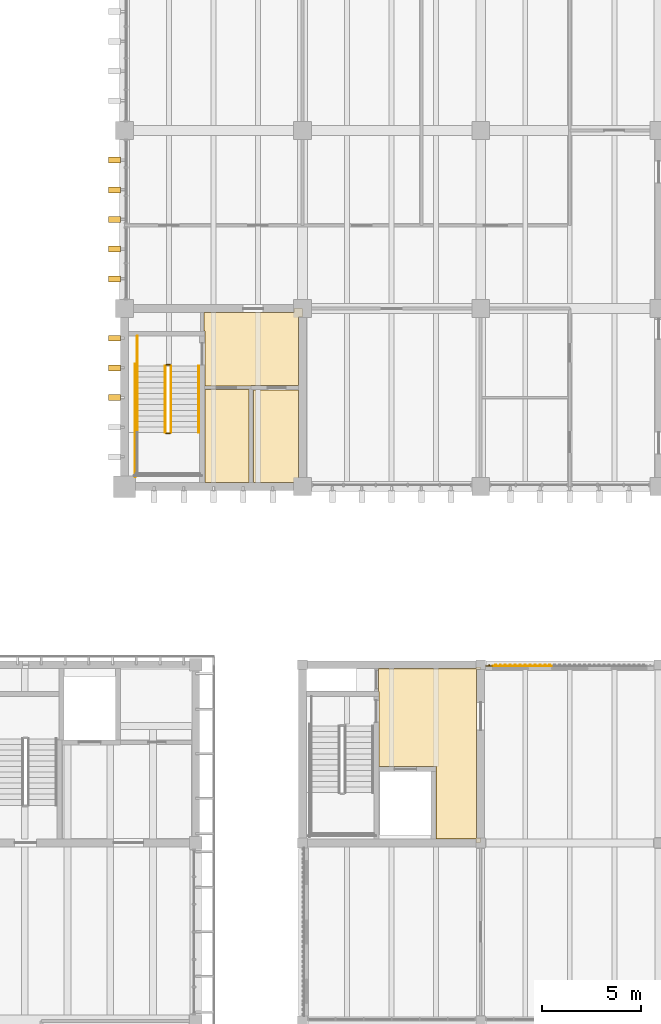
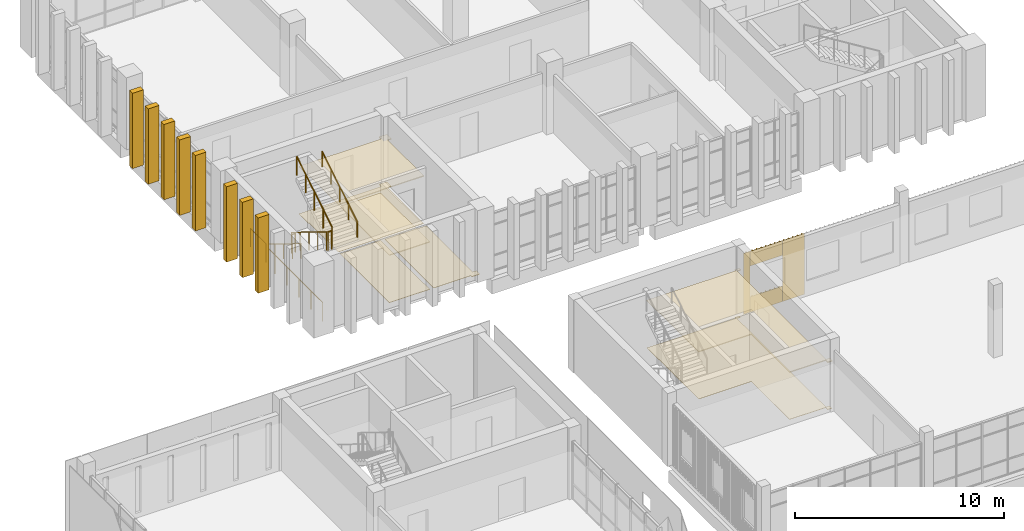
# One storey, part 87 of 92: 11 coverings, 8 railings, 8 shading devices.
"""IFC4 building model written with IfcOpenShell, lengths in metres."""

from ifc_helpers import new_model, si_unit, direction, frame, origin, origin_2d, place, context, subcontext, project, spatial, polyline, circle, outline, extrude, source, transform, mapped, material, layer, layer_set, type_object, element, save


model = new_model("IFC4")

# Units and contexts
model_context = context("Model", 3, precision=1e-05, world=origin(), true_north=direction((0.0, 1.0)))
body_context = subcontext(model_context, "Body", "Model", "MODEL_VIEW")
ifc_project = project(units=[si_unit("LENGTHUNIT", "METRE"), si_unit("AREAUNIT", "SQUARE_METRE"), si_unit("VOLUMEUNIT", "CUBIC_METRE"), si_unit("PLANEANGLEUNIT", "RADIAN"), si_unit("MASSUNIT", "GRAM", prefix="KILO")], contexts=[model_context])

# Site, building, storey
site_placement = place(None, origin())
site = spatial("IfcSite", under=ifc_project, at=site_placement, CompositionType="ELEMENT")
building_placement = place(site_placement, origin())
building = spatial("IfcBuilding", under=site, at=building_placement, Name="Merrow Basin Faculty of Sciences", CompositionType="ELEMENT")
storey_placement = place(building_placement, frame((0.0, 0.0, 4.5)))
storey = spatial("IfcBuildingStorey", under=building, at=storey_placement, Name="L01", CompositionType="ELEMENT", Elevation=4.5)

# Coverings
ifc_material_1 = material(Name="Carpet tile floor")
ifc_layer_1 = layer(ifc_material_1, 0.02001953125)
ifc_layer_set_1 = layer_set([ifc_layer_1], Name="Carpet tile floor")
covering_type_1 = type_object("IfcCoveringType", Name="Carpet tile floor", PredefinedType="FLOORING", material=ifc_layer_set_1)
covering_1_placement = place(storey_placement, origin())
element("IfcCovering", 1, at=covering_1_placement, inside=storey, type_object=covering_type_1, Name="Floor finish L01-T-011", PredefinedType="FLOORING", context=body_context, shape_type="SweptSolid", body=[
    extrude(outline(polyline([(26.989990234375, 142.110107421875), (26.56005859375, 142.110107421875), (26.56005859375, 142.2099609375), (24.510009765625, 142.2099609375), (24.510009765625, 146.889892578125), (26.7900390625, 146.889892578125), (26.7900390625, 142.43994140625), (26.989990234375, 142.43994140625), (26.989990234375, 142.110107421875)])), origin(), (0.0, 0.0, 1.0), 0.02001953125),
])
ifc_material_2 = material(Name="Ceramic floor tile")
ifc_layer_2 = layer(ifc_material_2, 0.02001953125)
ifc_layer_set_2 = layer_set([ifc_layer_2], Name="Ceramic floor tile")
covering_type_2 = type_object("IfcCoveringType", Name="Ceramic floor tile", PredefinedType="FLOORING", material=ifc_layer_set_2)
covering_2_placement = place(storey_placement, origin())
element("IfcCovering", 2, at=covering_2_placement, inside=storey, type_object=covering_type_2, Name="Floor finish L01-T-010", PredefinedType="FLOORING", context=body_context, shape_type="SweptSolid", body=[
    extrude(outline(polyline([(24.2900390625, 146.9150390625), (24.2900390625, 142.2099609375), (22.06005859375, 142.2099609375), (22.06005859375, 146.9150390625), (24.2900390625, 146.9150390625)])), origin(), (0.0, 0.0, 1.0), 0.02001953125),
])
ifc_material_3 = material(Name="Polished terrazzo floor")
ifc_layer_3 = layer(ifc_material_3, 0.02001953125)
ifc_layer_set_3 = layer_set([ifc_layer_3], Name="Polished terrazzo floor")
covering_type_3 = type_object("IfcCoveringType", Name="Polished terrazzo floor", PredefinedType="FLOORING", material=ifc_layer_set_3)
covering_3_placement = place(storey_placement, origin())
element("IfcCovering", 3, at=covering_3_placement, inside=storey, type_object=covering_type_3, Name="Floor finish L01-T-009", PredefinedType="FLOORING", context=body_context, shape_type="SweptSolid", body=[
    extrude(outline(polyline([(26.989990234375, 150.989990234375), (26.989990234375, 150.56005859375), (26.7900390625, 150.56005859375), (26.7900390625, 147.110107421875), (24.389892578125, 147.110107421875), (24.389892578125, 147.0849609375), (22.06005859375, 147.0849609375), (22.06005859375, 149.860107421875), (22.010009765625, 149.860107421875), (22.010009765625, 150.7900390625), (26.56005859375, 150.7900390625), (26.56005859375, 150.989990234375), (26.989990234375, 150.989990234375)])), origin(), (0.0, 0.0, 1.0), 0.02001953125),
])
covering_4_placement = place(storey_placement, origin())
element("IfcCovering", 4, at=covering_4_placement, inside=storey, type_object=covering_type_3, Name="Floor finish L01-C-015", PredefinedType="FLOORING", context=body_context, shape_type="SweptSolid", body=[
    extrude(outline(polyline([(35.989990234375, 132.889892578125), (35.989990234375, 132.760009765625), (35.7900390625, 132.760009765625), (35.7900390625, 124.239990234375), (35.989990234375, 124.239990234375), (35.989990234375, 124.010009765625), (35.760009765625, 124.010009765625), (35.760009765625, 124.2099609375), (33.760009765625, 124.2099609375), (33.760009765625, 127.860107421875), (30.860107421875, 127.860107421875), (30.860107421875, 131.659912109375), (30.8349609375, 131.659912109375), (30.8349609375, 132.7900390625), (35.760009765625, 132.7900390625), (35.760009765625, 132.889892578125), (35.989990234375, 132.889892578125)])), origin(), (0.0, 0.0, 1.0), 0.02001953125),
])

# Railings
ifc_material_4 = material(Name="Steel ASTM A36", Category="steel")
railing_type_1 = type_object("IfcRailingType", Name="Steel guard 1100", PredefinedType="GUARDRAIL", material=ifc_material_4)
railing_1_placement = place(storey_placement, frame((20.050048828125, 148.10009765625, 0.173095703125)))
element("IfcRailing", 5, at=railing_1_placement, inside=storey, type_object=railing_type_1, Name="L01 ST-V5-W stair guard 1", PredefinedType="GUARDRAIL", context=body_context, shape_type="SweptSolid", body=[
    extrude(circle(Radius=0.02392578125, at=origin_2d()), frame((0.0, 0.0, 1.076171875), z_axis=(0.0, -0.850623216509, 0.525775754039), x_axis=(1.0, 0.0, 0.0)), (0.0, 0.0, 1.0), 3.9501953125),
    extrude(circle(Radius=0.02099609375, at=origin_2d()), origin(), (0.0, 0.0, 1.0), 1.052001953125),
    extrude(circle(Radius=0.02099609375, at=origin_2d()), frame((0.0, -0.840087890625, 0.519287109375)), (0.0, 0.0, 1.0), 1.052001953125),
    extrude(circle(Radius=0.02099609375, at=origin_2d()), frame((0.0, -1.68017578125, 1.03857421875)), (0.0, 0.0, 1.0), 1.052001953125),
    extrude(circle(Radius=0.02099609375, at=origin_2d()), frame((0.0, -2.52001953125, 1.5576171875)), (0.0, 0.0, 1.0), 1.052001953125),
    extrude(circle(Radius=0.02099609375, at=origin_2d()), frame((0.0, -3.360107421875, 2.076904296875)), (0.0, 0.0, 1.0), 1.052001953125),
])
railing_2_placement = place(storey_placement, frame((20.10009765625, 144.68994140625, 2.25)))
element("IfcRailing", 6, at=railing_2_placement, inside=storey, type_object=railing_type_1, Name="L01 ST-V5-W stair guard 2", PredefinedType="GUARDRAIL", context=body_context, shape_type="SweptSolid", body=[
    extrude(circle(Radius=0.02392578125, at=origin_2d()), frame((0.0, 0.0, 1.076171875), z_axis=(1.0, 0.0, 0.0), x_axis=(0.0, 1.0, 0.0)), (0.0, 0.0, 1.0), 0.199951171875),
    extrude(circle(Radius=0.02099609375, at=origin_2d()), origin(), (0.0, 0.0, 1.0), 1.052001953125),
    extrude(circle(Radius=0.02099609375, at=origin_2d()), frame((0.199951171875, 0.0, 0.0)), (0.0, 0.0, 1.0), 1.052001953125),
])
railing_3_placement = place(storey_placement, frame((20.35009765625, 144.739990234375, 2.423095703125)))
element("IfcRailing", 7, at=railing_3_placement, inside=storey, type_object=railing_type_1, Name="L01 ST-V5-W stair guard 5", PredefinedType="GUARDRAIL", context=body_context, shape_type="SweptSolid", body=[
    extrude(circle(Radius=0.02392578125, at=origin_2d()), frame((0.0, 0.0, 1.076171875), z_axis=(0.0, 0.850623216509, 0.525775754039), x_axis=(-1.0, 0.0, 0.0)), (0.0, 0.0, 1.0), 3.9501953125),
    extrude(circle(Radius=0.02099609375, at=origin_2d()), origin(), (0.0, 0.0, 1.0), 1.052001953125),
    extrude(circle(Radius=0.02099609375, at=origin_2d()), frame((0.0, 0.840087890625, 0.519287109375)), (0.0, 0.0, 1.0), 1.052001953125),
    extrude(circle(Radius=0.02099609375, at=origin_2d()), frame((0.0, 1.68017578125, 1.03857421875)), (0.0, 0.0, 1.0), 1.052001953125),
    extrude(circle(Radius=0.02099609375, at=origin_2d()), frame((0.0, 2.52001953125, 1.5576171875)), (0.0, 0.0, 1.0), 1.052001953125),
    extrude(circle(Radius=0.02099609375, at=origin_2d()), frame((0.0, 3.360107421875, 2.076904296875)), (0.0, 0.0, 1.0), 1.052001953125),
])
railing_4_placement = place(storey_placement, frame((20.10009765625, 148.14990234375, 0.0)))
element("IfcRailing", 8, at=railing_4_placement, inside=storey, type_object=railing_type_1, Name="L01 ST-V5-W stair guard 6", PredefinedType="GUARDRAIL", context=body_context, shape_type="SweptSolid", body=[
    extrude(circle(Radius=0.02392578125, at=origin_2d()), frame((0.0, 0.0, 1.076171875), z_axis=(1.0, 0.0, 0.0), x_axis=(0.0, 1.0, 0.0)), (0.0, 0.0, 1.0), 0.199951171875),
    extrude(circle(Radius=0.02099609375, at=origin_2d()), origin(), (0.0, 0.0, 1.0), 1.052001953125),
    extrude(circle(Radius=0.02099609375, at=origin_2d()), frame((0.199951171875, 0.0, 0.0)), (0.0, 0.0, 1.0), 1.052001953125),
])
railing_5_placement = place(storey_placement, frame((18.64990234375, 149.60009765625, 0.0)))
element("IfcRailing", 9, at=railing_5_placement, inside=storey, type_object=railing_type_1, Name="L01 ST-V5-W stair guard 7", PredefinedType="GUARDRAIL", context=body_context, shape_type="SweptSolid", body=[
    extrude(circle(Radius=0.02392578125, at=origin_2d()), frame((0.0, 0.0, 1.076171875), z_axis=(0.0, -1.0, 0.0), x_axis=(1.0, 0.0, 0.0)), (0.0, 0.0, 1.0), 1.5),
    extrude(circle(Radius=0.02099609375, at=origin_2d()), origin(), (0.0, 0.0, 1.0), 1.052001953125),
    extrude(circle(Radius=0.02099609375, at=origin_2d()), frame((0.0, -0.75, 0.0)), (0.0, 0.0, 1.0), 1.052001953125),
    extrude(circle(Radius=0.02099609375, at=origin_2d()), frame((0.0, -1.5, 0.0)), (0.0, 0.0, 1.0), 1.052001953125),
])
railing_6_placement = place(storey_placement, frame((18.550048828125, 148.199951171875, 0.0)))
element("IfcRailing", 10, at=railing_6_placement, inside=storey, type_object=railing_type_1, Name="L01 ST-V5-W stair guard 8", PredefinedType="GUARDRAIL", context=body_context, shape_type="SweptSolid", body=[
    extrude(circle(Radius=0.02392578125, at=origin_2d()), frame((0.0, 0.0, 1.076171875), z_axis=(0.0, -1.0, 0.0), x_axis=(1.0, 0.0, 0.0)), (0.0, 0.0, 1.0), 5.699951171875),
    extrude(circle(Radius=0.02099609375, at=origin_2d()), origin(), (0.0, 0.0, 1.0), 1.052001953125),
    extrude(circle(Radius=0.02099609375, at=origin_2d()), frame((0.0, -1.139892578125, 0.0)), (0.0, 0.0, 1.0), 1.052001953125),
    extrude(circle(Radius=0.02099609375, at=origin_2d()), frame((0.0, -2.280029296875, 0.0)), (0.0, 0.0, 1.0), 1.052001953125),
    extrude(circle(Radius=0.02099609375, at=origin_2d()), frame((0.0, -3.419921875, 0.0)), (0.0, 0.0, 1.0), 1.052001953125),
    extrude(circle(Radius=0.02099609375, at=origin_2d()), frame((0.0, -4.56005859375, 0.0)), (0.0, 0.0, 1.0), 1.052001953125),
    extrude(circle(Radius=0.02099609375, at=origin_2d()), frame((0.0, -5.699951171875, 0.0)), (0.0, 0.0, 1.0), 1.052001953125),
])
ifc_material_5 = material(Name="Steel ASTM A36", Category="steel")
railing_type_2 = type_object("IfcRailingType", Name="Steel handrail 900", PredefinedType="HANDRAIL", material=ifc_material_5)
railing_7_placement = place(storey_placement, frame((18.64990234375, 148.10009765625, 0.173095703125)))
element("IfcRailing", 11, at=railing_7_placement, inside=storey, type_object=railing_type_2, Name="L01 ST-V5-W stair handrail 1", PredefinedType="HANDRAIL", context=body_context, shape_type="SweptSolid", body=[
    extrude(circle(Radius=0.02392578125, at=origin_2d()), frame((0.0, 0.0, 0.8759765625), z_axis=(0.0, -0.850623216509, 0.525775754039), x_axis=(1.0, 0.0, 0.0)), (0.0, 0.0, 1.0), 3.9501953125),
    extrude(circle(Radius=0.02099609375, at=origin_2d()), origin(), (0.0, 0.0, 1.0), 0.851806640625),
    extrude(circle(Radius=0.02099609375, at=origin_2d()), frame((0.0, -0.840087890625, 0.519287109375)), (0.0, 0.0, 1.0), 0.851806640625),
    extrude(circle(Radius=0.02099609375, at=origin_2d()), frame((0.0, -1.68017578125, 1.03857421875)), (0.0, 0.0, 1.0), 0.851806640625),
    extrude(circle(Radius=0.02099609375, at=origin_2d()), frame((0.0, -2.52001953125, 1.5576171875)), (0.0, 0.0, 1.0), 0.851806640625),
    extrude(circle(Radius=0.02099609375, at=origin_2d()), frame((0.0, -3.360107421875, 2.076904296875)), (0.0, 0.0, 1.0), 0.851806640625),
])
railing_8_placement = place(storey_placement, frame((21.75, 144.739990234375, 2.423095703125)))
element("IfcRailing", 12, at=railing_8_placement, inside=storey, type_object=railing_type_2, Name="L01 ST-V5-W stair handrail 2", PredefinedType="HANDRAIL", context=body_context, shape_type="SweptSolid", body=[
    extrude(circle(Radius=0.02392578125, at=origin_2d()), frame((0.0, 0.0, 0.8759765625), z_axis=(0.0, 0.850623216509, 0.525775754039), x_axis=(-1.0, 0.0, 0.0)), (0.0, 0.0, 1.0), 3.9501953125),
    extrude(circle(Radius=0.02099609375, at=origin_2d()), origin(), (0.0, 0.0, 1.0), 0.851806640625),
    extrude(circle(Radius=0.02099609375, at=origin_2d()), frame((0.0, 0.840087890625, 0.519287109375)), (0.0, 0.0, 1.0), 0.851806640625),
    extrude(circle(Radius=0.02099609375, at=origin_2d()), frame((0.0, 1.68017578125, 1.03857421875)), (0.0, 0.0, 1.0), 0.851806640625),
    extrude(circle(Radius=0.02099609375, at=origin_2d()), frame((0.0, 2.52001953125, 1.5576171875)), (0.0, 0.0, 1.0), 0.851806640625),
    extrude(circle(Radius=0.02099609375, at=origin_2d()), frame((0.0, 3.360107421875, 2.076904296875)), (0.0, 0.0, 1.0), 0.851806640625),
])

# Coverings
ifc_material_6 = material(Name="Mineral fibre ceiling tile")
ifc_layer_4 = layer(ifc_material_6, 0.050048828125)
ifc_layer_set_4 = layer_set([ifc_layer_4], Name="Suspended acoustic ceiling tile")
covering_type_4 = type_object("IfcCoveringType", Name="Suspended acoustic ceiling tile", PredefinedType="CEILING", material=ifc_layer_set_4)
covering_5_placement = place(storey_placement, frame((0.0, 0.0, 2.75)))
element("IfcCovering", 13, at=covering_5_placement, inside=storey, type_object=covering_type_4, Name="Ceiling L01-T-009", PredefinedType="CEILING", context=body_context, shape_type="SweptSolid", body=[
    extrude(outline(polyline([(26.989990234375, 150.989990234375), (26.989990234375, 150.56005859375), (26.7900390625, 150.56005859375), (26.7900390625, 147.110107421875), (24.389892578125, 147.110107421875), (24.389892578125, 147.0849609375), (22.06005859375, 147.0849609375), (22.06005859375, 149.860107421875), (22.010009765625, 149.860107421875), (22.010009765625, 150.7900390625), (26.56005859375, 150.7900390625), (26.56005859375, 150.989990234375), (26.989990234375, 150.989990234375)])), origin(), (0.0, 0.0, 1.0), 0.050048828125),
])
covering_6_placement = place(storey_placement, frame((0.0, 0.0, 2.75)))
element("IfcCovering", 14, at=covering_6_placement, inside=storey, type_object=covering_type_4, Name="Ceiling L01-T-010", PredefinedType="CEILING", context=body_context, shape_type="SweptSolid", body=[
    extrude(outline(polyline([(24.2900390625, 146.9150390625), (24.2900390625, 142.2099609375), (22.06005859375, 142.2099609375), (22.06005859375, 146.9150390625), (24.2900390625, 146.9150390625)])), origin(), (0.0, 0.0, 1.0), 0.050048828125),
])
covering_7_placement = place(storey_placement, frame((0.0, 0.0, 2.75)))
element("IfcCovering", 15, at=covering_7_placement, inside=storey, type_object=covering_type_4, Name="Ceiling L01-C-015", PredefinedType="CEILING", context=body_context, shape_type="SweptSolid", body=[
    extrude(outline(polyline([(36.0, 132.89990234375), (36.0, 132.75), (35.800048828125, 132.75), (35.800048828125, 124.25), (36.0, 124.25), (36.0, 124.0), (35.75, 124.0), (35.75, 124.199951171875), (33.75, 124.199951171875), (33.75, 127.85009765625), (30.85009765625, 127.85009765625), (30.85009765625, 131.64990234375), (30.824951171875, 131.64990234375), (30.824951171875, 132.800048828125), (35.75, 132.800048828125), (35.75, 132.89990234375), (36.0, 132.89990234375)])), origin(), (0.0, 0.0, 1.0), 0.050048828125),
])
ifc_material_7 = material(Name="Larch timber", Category="wood")
ifc_layer_5 = layer(ifc_material_7, 0.0849609375)
ifc_layer_set_5 = layer_set([ifc_layer_5], Name="Larch batten cladding 85")
covering_type_5 = type_object("IfcCoveringType", Name="Larch batten cladding 85", PredefinedType="CLADDING", material=ifc_layer_set_5)
shared_shape_1 = source(origin(), body_context, "Body", "SweptSolid", [
    extrude(outline(polyline([(0.0, 0.0), (1.199951171875, 0.0), (1.199951171875, 0.02490234375), (1.125, 0.02490234375), (1.125, 0.0849609375), (1.074951171875, 0.0849609375), (1.074951171875, 0.02490234375), (0.875, 0.02490234375), (0.875, 0.0849609375), (0.824951171875, 0.0849609375), (0.824951171875, 0.02490234375), (0.625, 0.02490234375), (0.625, 0.0849609375), (0.574951171875, 0.0849609375), (0.574951171875, 0.02490234375), (0.375, 0.02490234375), (0.375, 0.0849609375), (0.324951171875, 0.0849609375), (0.324951171875, 0.02490234375), (0.125, 0.02490234375), (0.125, 0.0849609375), (0.074951171875, 0.0849609375), (0.074951171875, 0.02490234375), (0.0, 0.02490234375), (0.0, 0.0)])), origin(), (0.0, 0.0, 1.0), 3.550048828125),
])
covering_8_placement = place(storey_placement, frame((38.39990234375, 132.9150390625, 0.0), z_axis=(0.0, 0.0, 1.0), x_axis=(1.0, 0.0, 0.0)))
element("IfcCovering", 16, at=covering_8_placement, inside=storey, type_object=covering_type_5, Name="Larch batten cladding", PredefinedType="CLADDING", context=body_context, shape_type="MappedRepresentation", body=[
    mapped(shared_shape_1, transform((0.0, 0.0, 0.0), scale=1.0)),
])
shared_shape_2 = source(origin(), body_context, "Body", "SweptSolid", [
    extrude(outline(polyline([(0.0, 0.0), (0.35009765625, 0.0), (0.35009765625, 0.02490234375), (0.199951171875, 0.02490234375), (0.199951171875, 0.0849609375), (0.14990234375, 0.0849609375), (0.14990234375, 0.02490234375), (0.0, 0.02490234375), (0.0, 0.0)])), origin(), (0.0, 0.0, 1.0), 3.550048828125),
])
covering_9_placement = place(storey_placement, frame((36.25, 132.9150390625, 0.0), z_axis=(0.0, 0.0, 1.0), x_axis=(1.0, 0.0, 0.0)))
element("IfcCovering", 17, at=covering_9_placement, inside=storey, type_object=covering_type_5, Name="Larch batten cladding", PredefinedType="CLADDING", context=body_context, shape_type="MappedRepresentation", body=[
    mapped(shared_shape_2, transform((0.0, 0.0, 0.0), scale=1.0)),
])
shared_shape_3 = source(origin(), body_context, "Body", "SweptSolid", [
    extrude(outline(polyline([(0.0, 0.0), (1.800048828125, 0.0), (1.800048828125, 0.02490234375), (1.675048828125, 0.02490234375), (1.675048828125, 0.0849609375), (1.625, 0.0849609375), (1.625, 0.02490234375), (1.425048828125, 0.02490234375), (1.425048828125, 0.0849609375), (1.375, 0.0849609375), (1.375, 0.02490234375), (1.175048828125, 0.02490234375), (1.175048828125, 0.0849609375), (1.125, 0.0849609375), (1.125, 0.02490234375), (0.925048828125, 0.02490234375), (0.925048828125, 0.0849609375), (0.875, 0.0849609375), (0.875, 0.02490234375), (0.675048828125, 0.02490234375), (0.675048828125, 0.0849609375), (0.625, 0.0849609375), (0.625, 0.02490234375), (0.425048828125, 0.02490234375), (0.425048828125, 0.0849609375), (0.375, 0.0849609375), (0.375, 0.02490234375), (0.175048828125, 0.02490234375), (0.175048828125, 0.0849609375), (0.125, 0.0849609375), (0.125, 0.02490234375), (0.0, 0.02490234375), (0.0, 0.0)])), origin(), (0.0, 0.0, 1.0), 0.89990234375),
])
covering_10_placement = place(storey_placement, frame((36.60009765625, 132.9150390625, 0.0), z_axis=(0.0, 0.0, 1.0), x_axis=(1.0, 0.0, 0.0)))
element("IfcCovering", 18, at=covering_10_placement, inside=storey, type_object=covering_type_5, Name="Larch batten cladding", PredefinedType="CLADDING", context=body_context, shape_type="MappedRepresentation", body=[
    mapped(shared_shape_3, transform((0.0, 0.0, 0.0), scale=1.0)),
])
shared_shape_4 = source(origin(), body_context, "Body", "SweptSolid", [
    extrude(outline(polyline([(0.0, 0.0), (1.800048828125, 0.0), (1.800048828125, 0.02490234375), (1.675048828125, 0.02490234375), (1.675048828125, 0.0849609375), (1.625, 0.0849609375), (1.625, 0.02490234375), (1.425048828125, 0.02490234375), (1.425048828125, 0.0849609375), (1.375, 0.0849609375), (1.375, 0.02490234375), (1.175048828125, 0.02490234375), (1.175048828125, 0.0849609375), (1.125, 0.0849609375), (1.125, 0.02490234375), (0.925048828125, 0.02490234375), (0.925048828125, 0.0849609375), (0.875, 0.0849609375), (0.875, 0.02490234375), (0.675048828125, 0.02490234375), (0.675048828125, 0.0849609375), (0.625, 0.0849609375), (0.625, 0.02490234375), (0.425048828125, 0.02490234375), (0.425048828125, 0.0849609375), (0.375, 0.0849609375), (0.375, 0.02490234375), (0.175048828125, 0.02490234375), (0.175048828125, 0.0849609375), (0.125, 0.0849609375), (0.125, 0.02490234375), (0.0, 0.02490234375), (0.0, 0.0)])), origin(), (0.0, 0.0, 1.0), 0.85009765625),
])
covering_11_placement = place(storey_placement, frame((36.60009765625, 132.9150390625, 2.699951171875), z_axis=(0.0, 0.0, 1.0), x_axis=(1.0, 0.0, 0.0)))
element("IfcCovering", 19, at=covering_11_placement, inside=storey, type_object=covering_type_5, Name="Larch batten cladding", PredefinedType="CLADDING", context=body_context, shape_type="MappedRepresentation", body=[
    mapped(shared_shape_4, transform((0.0, 0.0, 0.0), scale=1.0)),
])

# Shading devices
ifc_material_8 = material(Name="White precast concrete C50/60", Category="concrete")
shading_device_type = type_object("IfcShadingDeviceType", Name="White precast fin 300 x 600", PredefinedType="USERDEFINED", material=ifc_material_8)
shared_shape_5 = source(origin(), body_context, "Body", "SweptSolid", [
    extrude(outline(polyline([(0.0, 0.0), (0.300048828125, 0.0), (0.300048828125, 4.39990234375), (0.0, 4.39990234375), (0.0, 0.0)])), origin(), (0.0, 0.0, 1.0), 0.60009765625),
])
for number, where, z_axis, x_axis, name in (
    (20, (17.800048828125, 146.64990234375, -0.25), (-1.0, 0.0, 0.0), (0.0, -1.0, 0.0), "Brise-soleil fin WL01"),
    (21, (17.800048828125, 148.14990234375, -0.25), (-1.0, 0.0, 0.0), (0.0, -1.0, 0.0), "Brise-soleil fin WL01"),
    (22, (17.800048828125, 149.64990234375, -0.25), (-1.0, 0.0, 0.0), (0.0, -1.0, 0.0), "Brise-soleil fin WL01"),
    (23, (17.800048828125, 152.64990234375, -0.25), (-1.0, 0.0, 0.0), (0.0, -1.0, 0.0), "Brise-soleil fin WL01"),
    (24, (17.800048828125, 154.14990234375, -0.25), (-1.0, 0.0, 0.0), (0.0, -1.0, 0.0), "Brise-soleil fin WL01"),
    (25, (17.800048828125, 155.64990234375, -0.25), (-1.0, 0.0, 0.0), (0.0, -1.0, 0.0), "Brise-soleil fin WL01"),
    (26, (17.800048828125, 157.14990234375, -0.25), (-1.0, 0.0, 0.0), (0.0, -1.0, 0.0), "Brise-soleil fin WL01"),
    (27, (17.800048828125, 158.64990234375, -0.25), (-1.0, 0.0, 0.0), (0.0, -1.0, 0.0), "Brise-soleil fin WL01"),
):
    element("IfcShadingDevice", number, at=place(storey_placement, frame(where, z_axis=z_axis, x_axis=x_axis)), inside=storey, type_object=shading_device_type, Name=name, ObjectType="FIN", PredefinedType="USERDEFINED", context=body_context, shape_type="MappedRepresentation", body=[
        mapped(shared_shape_5, transform((0.0, 0.0, 0.0), scale=1.0)),
    ])

save(model, "model.ifc")
